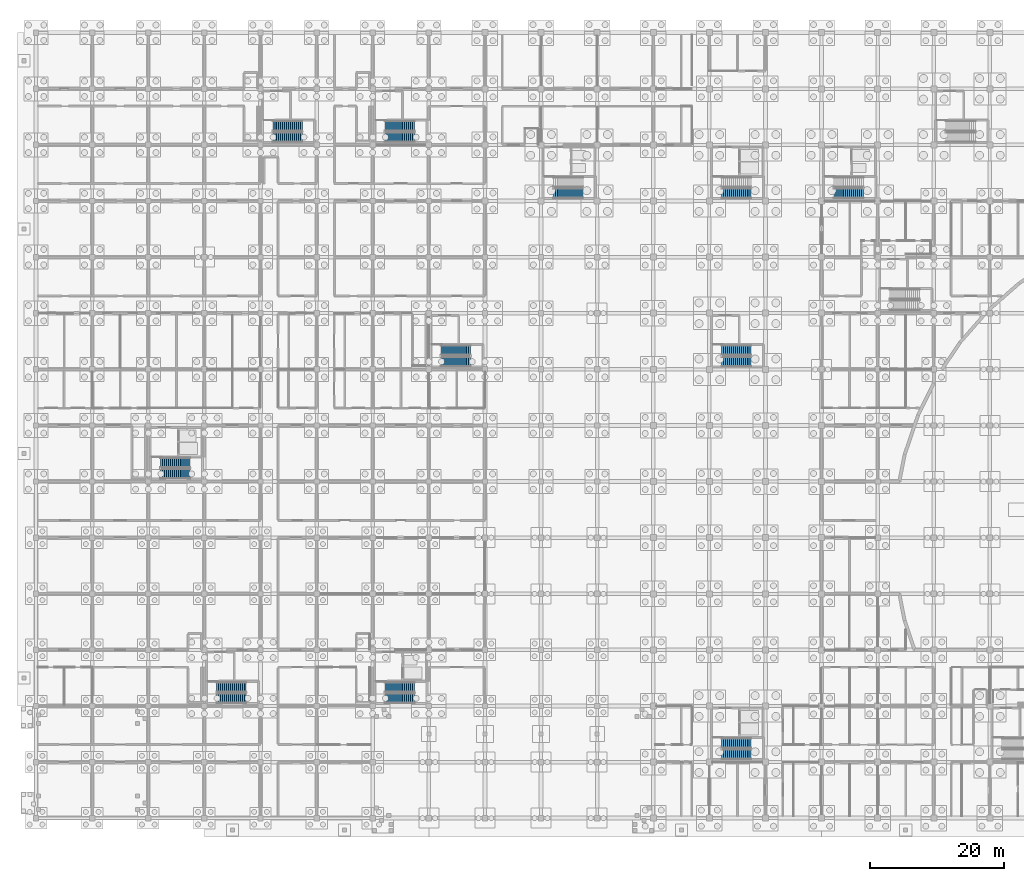
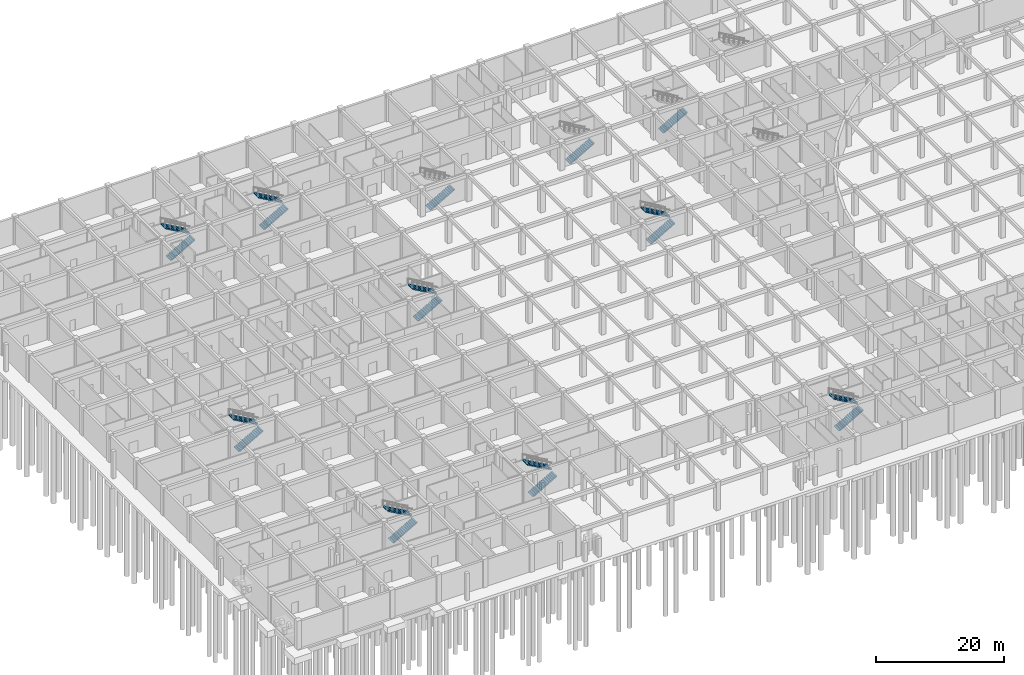
# One storey, part 51 of 65: 19 stair flights, 11 elements without a shape of their own.
"""IFC4 building model written with IfcOpenShell, lengths in metres."""

from ifc_helpers import new_model, si_unit, direction, frame, origin, place, context, subcontext, project, spatial, polyline, outline, extrude, material, type_object, element, aggregate, save


model = new_model("IFC4")

# Units and contexts
model_context = context("Model", 3, precision=1e-05, world=origin(), true_north=direction((0.0, 1.0)))
body_context = subcontext(model_context, "Body", "Model", "MODEL_VIEW")
ifc_project = project(units=[si_unit("LENGTHUNIT", "METRE"), si_unit("AREAUNIT", "SQUARE_METRE"), si_unit("VOLUMEUNIT", "CUBIC_METRE"), si_unit("PLANEANGLEUNIT", "RADIAN"), si_unit("MASSUNIT", "GRAM", prefix="KILO")], contexts=[model_context])

# Site, building, storey
site_placement = place(None, origin())
site = spatial("IfcSite", under=ifc_project, at=site_placement, CompositionType="ELEMENT")
building_placement = place(site_placement, origin())
building = spatial("IfcBuilding", under=site, at=building_placement, Name="Bramfleet General Hospital", CompositionType="ELEMENT")
storey_placement = place(building_placement, frame((0.0, 0.0, -5.39990234375)))
storey = spatial("IfcBuildingStorey", under=building, at=storey_placement, Name="B1", CompositionType="ELEMENT", Elevation=-5.39990234375)

# Stair, stair flights
ifc_material = material(Name="Concrete C35/45", Category="concrete")
stair_type = type_object("IfcStairType", Name="STR-T1", PredefinedType="HALF_TURN_STAIR", material=ifc_material)
stair_1_placement = place(storey_placement, origin())
stair_1 = element("IfcStair", 1, at=stair_1_placement, inside=storey, type_object=stair_type, Name="B1 Core C1 (Main Hall & Forecourt) Protected Escape Stair", PredefinedType="HALF_TURN_STAIR")
stair_flight_type = type_object("IfcStairFlightType", Name="STF-T1", PredefinedType="STRAIGHT", material=ifc_material)
stair_flight_1_placement = place(storey_placement, frame((52.239990234375, 17.969970703125, 0.0), z_axis=(0.0, 0.0, 1.0), x_axis=(1.0, 0.0, 0.0)))
stair_flight_1 = element("IfcStairFlight", 2, at=stair_flight_1_placement, type_object=stair_flight_type, Name="ST-C1 flight 1", NumberOfRisers=16, NumberOfTreads=15, PredefinedType="STRAIGHT", RiserHeight=0.16875, TreadLength=0.295, context=body_context, shape_type="SweptSolid", body=[
    extrude(outline(polyline([(0.0, 0.0), (0.0, 0.168701171875), (0.294921875, 0.168701171875), (0.294921875, 0.33740234375), (0.590087890625, 0.33740234375), (0.590087890625, 0.50634765625), (0.885009765625, 0.50634765625), (0.885009765625, 0.675048828125), (1.179931640625, 0.675048828125), (1.179931640625, 0.84375), (1.47509765625, 0.84375), (1.47509765625, 1.012451171875), (1.77001953125, 1.012451171875), (1.77001953125, 1.18115234375), (2.06494140625, 1.18115234375), (2.06494140625, 1.35009765625), (2.360107421875, 1.35009765625), (2.360107421875, 1.518798828125), (2.655029296875, 1.518798828125), (2.655029296875, 1.6875), (2.949951171875, 1.6875), (2.949951171875, 1.856201171875), (3.2451171875, 1.856201171875), (3.2451171875, 2.02490234375), (3.5400390625, 2.02490234375), (3.5400390625, 2.19384765625), (3.8349609375, 2.19384765625), (3.8349609375, 2.362548828125), (4.1298828125, 2.362548828125), (4.1298828125, 2.53125), (4.425048828125, 2.53125), (4.425048828125, 2.699951171875), (4.425048828125, 2.346923828125), (0.322021484375, 0.0), (0.0, 0.0)])), frame((0.0, 0.75, 0.0), z_axis=(0.0, -1.0, 0.0), x_axis=(1.0, 0.0, 0.0)), (0.0, 0.0, 1.0), 1.5),
])
stair_flight_2_placement = place(storey_placement, frame((56.6650390625, 19.6298828125, 2.699951171875), z_axis=(0.0, 0.0, 1.0), x_axis=(-1.0, 0.0, 0.0)))
stair_flight_2 = element("IfcStairFlight", 3, at=stair_flight_2_placement, type_object=stair_flight_type, Name="ST-C1 flight 2", NumberOfRisers=16, NumberOfTreads=15, PredefinedType="STRAIGHT", RiserHeight=0.16875, TreadLength=0.295, context=body_context, shape_type="SweptSolid", body=[
    extrude(outline(polyline([(0.0, 0.0), (0.0, 0.168701171875), (0.294921875, 0.168701171875), (0.294921875, 0.33740234375), (0.590087890625, 0.33740234375), (0.590087890625, 0.50634765625), (0.885009765625, 0.50634765625), (0.885009765625, 0.675048828125), (1.179931640625, 0.675048828125), (1.179931640625, 0.84375), (1.47509765625, 0.84375), (1.47509765625, 1.012451171875), (1.77001953125, 1.012451171875), (1.77001953125, 1.18115234375), (2.06494140625, 1.18115234375), (2.06494140625, 1.35009765625), (2.360107421875, 1.35009765625), (2.360107421875, 1.518798828125), (2.655029296875, 1.518798828125), (2.655029296875, 1.6875), (2.949951171875, 1.6875), (2.949951171875, 1.856201171875), (3.2451171875, 1.856201171875), (3.2451171875, 2.02490234375), (3.5400390625, 2.02490234375), (3.5400390625, 2.19384765625), (3.8349609375, 2.19384765625), (3.8349609375, 2.362548828125), (4.1298828125, 2.362548828125), (4.1298828125, 2.53125), (4.425048828125, 2.53125), (4.425048828125, 2.699951171875), (4.425048828125, 2.346923828125), (0.322021484375, 0.0), (0.0, 0.0)])), frame((0.0, 0.75, 0.0), z_axis=(0.0, -1.0, 0.0), x_axis=(1.0, 0.0, 0.0)), (0.0, 0.0, 1.0), 1.5),
])
aggregate(stair_1, [stair_flight_1, stair_flight_2])

stair_2_placement = place(storey_placement, origin())
stair_2 = element("IfcStair", 4, at=stair_2_placement, inside=storey, type_object=stair_type, Name="B1 Core C2 (Emergency & Surgical) Protected Escape Stair", PredefinedType="HALF_TURN_STAIR")
stair_flight_3_placement = place(storey_placement, frame((18.639892578125, 51.570068359375, 0.0), z_axis=(0.0, 0.0, 1.0), x_axis=(1.0, 0.0, 0.0)))
stair_flight_3 = element("IfcStairFlight", 5, at=stair_flight_3_placement, type_object=stair_flight_type, Name="ST-C2 flight 1", NumberOfRisers=16, NumberOfTreads=15, PredefinedType="STRAIGHT", RiserHeight=0.16875, TreadLength=0.295, context=body_context, shape_type="SweptSolid", body=[
    extrude(outline(polyline([(0.0, 0.0), (0.0, 0.168701171875), (0.294921875, 0.168701171875), (0.294921875, 0.33740234375), (0.590087890625, 0.33740234375), (0.590087890625, 0.50634765625), (0.885009765625, 0.50634765625), (0.885009765625, 0.675048828125), (1.179931640625, 0.675048828125), (1.179931640625, 0.84375), (1.47509765625, 0.84375), (1.47509765625, 1.012451171875), (1.77001953125, 1.012451171875), (1.77001953125, 1.18115234375), (2.06494140625, 1.18115234375), (2.06494140625, 1.35009765625), (2.360107421875, 1.35009765625), (2.360107421875, 1.518798828125), (2.655029296875, 1.518798828125), (2.655029296875, 1.6875), (2.949951171875, 1.6875), (2.949951171875, 1.856201171875), (3.2451171875, 1.856201171875), (3.2451171875, 2.02490234375), (3.5400390625, 2.02490234375), (3.5400390625, 2.19384765625), (3.8349609375, 2.19384765625), (3.8349609375, 2.362548828125), (4.1298828125, 2.362548828125), (4.1298828125, 2.53125), (4.425048828125, 2.53125), (4.425048828125, 2.699951171875), (4.425048828125, 2.346923828125), (0.322021484375, 0.0), (0.0, 0.0)])), frame((0.0, 0.75, 0.0), z_axis=(0.0, -1.0, 0.0), x_axis=(1.0, 0.0, 0.0)), (0.0, 0.0, 1.0), 1.5),
])
stair_flight_4_placement = place(storey_placement, frame((23.06494140625, 53.22998046875, 2.699951171875), z_axis=(0.0, 0.0, 1.0), x_axis=(-1.0, 0.0, 0.0)))
stair_flight_4 = element("IfcStairFlight", 6, at=stair_flight_4_placement, type_object=stair_flight_type, Name="ST-C2 flight 2", NumberOfRisers=16, NumberOfTreads=15, PredefinedType="STRAIGHT", RiserHeight=0.16875, TreadLength=0.295, context=body_context, shape_type="SweptSolid", body=[
    extrude(outline(polyline([(0.0, 0.0), (0.0, 0.168701171875), (0.294921875, 0.168701171875), (0.294921875, 0.33740234375), (0.590087890625, 0.33740234375), (0.590087890625, 0.50634765625), (0.885009765625, 0.50634765625), (0.885009765625, 0.675048828125), (1.179931640625, 0.675048828125), (1.179931640625, 0.84375), (1.47509765625, 0.84375), (1.47509765625, 1.012451171875), (1.77001953125, 1.012451171875), (1.77001953125, 1.18115234375), (2.06494140625, 1.18115234375), (2.06494140625, 1.35009765625), (2.360107421875, 1.35009765625), (2.360107421875, 1.518798828125), (2.655029296875, 1.518798828125), (2.655029296875, 1.6875), (2.949951171875, 1.6875), (2.949951171875, 1.856201171875), (3.2451171875, 1.856201171875), (3.2451171875, 2.02490234375), (3.5400390625, 2.02490234375), (3.5400390625, 2.19384765625), (3.8349609375, 2.19384765625), (3.8349609375, 2.362548828125), (4.1298828125, 2.362548828125), (4.1298828125, 2.53125), (4.425048828125, 2.53125), (4.425048828125, 2.699951171875), (4.425048828125, 2.346923828125), (0.322021484375, 0.0), (0.0, 0.0)])), frame((0.0, 0.75, 0.0), z_axis=(0.0, -1.0, 0.0), x_axis=(1.0, 0.0, 0.0)), (0.0, 0.0, 1.0), 1.5),
])
aggregate(stair_2, [stair_flight_3, stair_flight_4])

stair_3_placement = place(storey_placement, origin())
stair_3 = element("IfcStair", 7, at=stair_3_placement, inside=storey, type_object=stair_type, Name="B1 Core C3 (South Ward Wing) Protected Escape Stair", PredefinedType="HALF_TURN_STAIR")
stair_flight_5_placement = place(storey_placement, frame((102.639892578125, 9.570068359375, 0.0), z_axis=(0.0, 0.0, 1.0), x_axis=(1.0, 0.0, 0.0)))
stair_flight_5 = element("IfcStairFlight", 8, at=stair_flight_5_placement, type_object=stair_flight_type, Name="ST-C3 flight 1", NumberOfRisers=16, NumberOfTreads=15, PredefinedType="STRAIGHT", RiserHeight=0.16875, TreadLength=0.295, context=body_context, shape_type="SweptSolid", body=[
    extrude(outline(polyline([(0.0, 0.0), (0.0, 0.168701171875), (0.294921875, 0.168701171875), (0.294921875, 0.33740234375), (0.590087890625, 0.33740234375), (0.590087890625, 0.50634765625), (0.885009765625, 0.50634765625), (0.885009765625, 0.675048828125), (1.179931640625, 0.675048828125), (1.179931640625, 0.84375), (1.47509765625, 0.84375), (1.47509765625, 1.012451171875), (1.77001953125, 1.012451171875), (1.77001953125, 1.18115234375), (2.06494140625, 1.18115234375), (2.06494140625, 1.35009765625), (2.360107421875, 1.35009765625), (2.360107421875, 1.518798828125), (2.655029296875, 1.518798828125), (2.655029296875, 1.6875), (2.949951171875, 1.6875), (2.949951171875, 1.856201171875), (3.2451171875, 1.856201171875), (3.2451171875, 2.02490234375), (3.5400390625, 2.02490234375), (3.5400390625, 2.19384765625), (3.8349609375, 2.19384765625), (3.8349609375, 2.362548828125), (4.1298828125, 2.362548828125), (4.1298828125, 2.53125), (4.425048828125, 2.53125), (4.425048828125, 2.699951171875), (4.425048828125, 2.346923828125), (0.322021484375, 0.0), (0.0, 0.0)])), frame((0.0, 0.75, 0.0), z_axis=(0.0, -1.0, 0.0), x_axis=(1.0, 0.0, 0.0)), (0.0, 0.0, 1.0), 1.5),
])
stair_flight_6_placement = place(storey_placement, frame((107.06494140625, 11.22998046875, 2.699951171875), z_axis=(0.0, 0.0, 1.0), x_axis=(-1.0, 0.0, 0.0)))
stair_flight_6 = element("IfcStairFlight", 9, at=stair_flight_6_placement, type_object=stair_flight_type, Name="ST-C3 flight 2", NumberOfRisers=16, NumberOfTreads=15, PredefinedType="STRAIGHT", RiserHeight=0.16875, TreadLength=0.295, context=body_context, shape_type="SweptSolid", body=[
    extrude(outline(polyline([(0.0, 0.0), (0.0, 0.168701171875), (0.294921875, 0.168701171875), (0.294921875, 0.33740234375), (0.590087890625, 0.33740234375), (0.590087890625, 0.50634765625), (0.885009765625, 0.50634765625), (0.885009765625, 0.675048828125), (1.179931640625, 0.675048828125), (1.179931640625, 0.84375), (1.47509765625, 0.84375), (1.47509765625, 1.012451171875), (1.77001953125, 1.012451171875), (1.77001953125, 1.18115234375), (2.06494140625, 1.18115234375), (2.06494140625, 1.35009765625), (2.360107421875, 1.35009765625), (2.360107421875, 1.518798828125), (2.655029296875, 1.518798828125), (2.655029296875, 1.6875), (2.949951171875, 1.6875), (2.949951171875, 1.856201171875), (3.2451171875, 1.856201171875), (3.2451171875, 2.02490234375), (3.5400390625, 2.02490234375), (3.5400390625, 2.19384765625), (3.8349609375, 2.19384765625), (3.8349609375, 2.362548828125), (4.1298828125, 2.362548828125), (4.1298828125, 2.53125), (4.425048828125, 2.53125), (4.425048828125, 2.699951171875), (4.425048828125, 2.346923828125), (0.322021484375, 0.0), (0.0, 0.0)])), frame((0.0, 0.75, 0.0), z_axis=(0.0, -1.0, 0.0), x_axis=(1.0, 0.0, 0.0)), (0.0, 0.0, 1.0), 1.5),
])
aggregate(stair_3, [stair_flight_5, stair_flight_6])

# Stair, stair flight
stair_4_placement = place(storey_placement, origin())
stair_4 = element("IfcStair", 10, at=stair_4_placement, inside=storey, type_object=stair_type, Name="B1 Core C4 (Central Spine & Helipad Trauma) Protected Escape Stair", PredefinedType="HALF_TURN_STAIR")
stair_flight_7_placement = place(storey_placement, frame((102.639892578125, 93.570068359375, 0.0), z_axis=(0.0, 0.0, 1.0), x_axis=(1.0, 0.0, 0.0)))
stair_flight_7 = element("IfcStairFlight", 11, at=stair_flight_7_placement, type_object=stair_flight_type, Name="ST-C4 flight 1", NumberOfRisers=16, NumberOfTreads=15, PredefinedType="STRAIGHT", RiserHeight=0.16875, TreadLength=0.295, context=body_context, shape_type="SweptSolid", body=[
    extrude(outline(polyline([(0.0, 0.0), (0.0, 0.168701171875), (0.294921875, 0.168701171875), (0.294921875, 0.33740234375), (0.590087890625, 0.33740234375), (0.590087890625, 0.50634765625), (0.885009765625, 0.50634765625), (0.885009765625, 0.675048828125), (1.179931640625, 0.675048828125), (1.179931640625, 0.84375), (1.47509765625, 0.84375), (1.47509765625, 1.012451171875), (1.77001953125, 1.012451171875), (1.77001953125, 1.18115234375), (2.06494140625, 1.18115234375), (2.06494140625, 1.35009765625), (2.360107421875, 1.35009765625), (2.360107421875, 1.518798828125), (2.655029296875, 1.518798828125), (2.655029296875, 1.6875), (2.949951171875, 1.6875), (2.949951171875, 1.856201171875), (3.2451171875, 1.856201171875), (3.2451171875, 2.02490234375), (3.5400390625, 2.02490234375), (3.5400390625, 2.19384765625), (3.8349609375, 2.19384765625), (3.8349609375, 2.362548828125), (4.1298828125, 2.362548828125), (4.1298828125, 2.53125), (4.425048828125, 2.53125), (4.425048828125, 2.699951171875), (4.425048828125, 2.346923828125), (0.322021484375, 0.0), (0.0, 0.0)])), frame((0.0, 0.75, 0.0), z_axis=(0.0, -1.0, 0.0), x_axis=(1.0, 0.0, 0.0)), (0.0, 0.0, 1.0), 1.5),
])
aggregate(stair_4, [stair_flight_7])

stair_5_placement = place(storey_placement, origin())
stair_5 = element("IfcStair", 12, at=stair_5_placement, inside=storey, type_object=stair_type, Name="B1 Core C5 (North-West Ward Wing) Protected Escape Stair", PredefinedType="HALF_TURN_STAIR")
stair_flight_8_placement = place(storey_placement, frame((77.43994140625, 93.570068359375, 0.0), z_axis=(0.0, 0.0, 1.0), x_axis=(1.0, 0.0, 0.0)))
stair_flight_8 = element("IfcStairFlight", 13, at=stair_flight_8_placement, type_object=stair_flight_type, Name="ST-C5 flight 1", NumberOfRisers=16, NumberOfTreads=15, PredefinedType="STRAIGHT", RiserHeight=0.16875, TreadLength=0.295, context=body_context, shape_type="SweptSolid", body=[
    extrude(outline(polyline([(0.0, 0.0), (0.0, 0.168701171875), (0.294921875, 0.168701171875), (0.294921875, 0.33740234375), (0.590087890625, 0.33740234375), (0.590087890625, 0.50634765625), (0.885009765625, 0.50634765625), (0.885009765625, 0.675048828125), (1.179931640625, 0.675048828125), (1.179931640625, 0.84375), (1.47509765625, 0.84375), (1.47509765625, 1.012451171875), (1.77001953125, 1.012451171875), (1.77001953125, 1.18115234375), (2.06494140625, 1.18115234375), (2.06494140625, 1.35009765625), (2.360107421875, 1.35009765625), (2.360107421875, 1.518798828125), (2.655029296875, 1.518798828125), (2.655029296875, 1.6875), (2.949951171875, 1.6875), (2.949951171875, 1.856201171875), (3.2451171875, 1.856201171875), (3.2451171875, 2.02490234375), (3.5400390625, 2.02490234375), (3.5400390625, 2.19384765625), (3.8349609375, 2.19384765625), (3.8349609375, 2.362548828125), (4.1298828125, 2.362548828125), (4.1298828125, 2.53125), (4.425048828125, 2.53125), (4.425048828125, 2.699951171875), (4.425048828125, 2.346923828125), (0.322021484375, 0.0), (0.0, 0.0)])), frame((0.0, 0.75, 0.0), z_axis=(0.0, -1.0, 0.0), x_axis=(1.0, 0.0, 0.0)), (0.0, 0.0, 1.0), 1.5),
])
aggregate(stair_5, [stair_flight_8])

stair_6_placement = place(storey_placement, origin())
stair_6 = element("IfcStair", 14, at=stair_6_placement, inside=storey, type_object=stair_type, Name="B1 Core C6 (North-East Ward & Helipad) Protected Escape Stair", PredefinedType="HALF_TURN_STAIR")
stair_flight_9_placement = place(storey_placement, frame((119.43994140625, 93.570068359375, 0.0), z_axis=(0.0, 0.0, 1.0), x_axis=(1.0, 0.0, 0.0)))
stair_flight_9 = element("IfcStairFlight", 15, at=stair_flight_9_placement, type_object=stair_flight_type, Name="ST-C6 flight 1", NumberOfRisers=16, NumberOfTreads=15, PredefinedType="STRAIGHT", RiserHeight=0.16875, TreadLength=0.295, context=body_context, shape_type="SweptSolid", body=[
    extrude(outline(polyline([(0.0, 0.0), (0.0, 0.168701171875), (0.294921875, 0.168701171875), (0.294921875, 0.33740234375), (0.590087890625, 0.33740234375), (0.590087890625, 0.50634765625), (0.885009765625, 0.50634765625), (0.885009765625, 0.675048828125), (1.179931640625, 0.675048828125), (1.179931640625, 0.84375), (1.47509765625, 0.84375), (1.47509765625, 1.012451171875), (1.77001953125, 1.012451171875), (1.77001953125, 1.18115234375), (2.06494140625, 1.18115234375), (2.06494140625, 1.35009765625), (2.360107421875, 1.35009765625), (2.360107421875, 1.518798828125), (2.655029296875, 1.518798828125), (2.655029296875, 1.6875), (2.949951171875, 1.6875), (2.949951171875, 1.856201171875), (3.2451171875, 1.856201171875), (3.2451171875, 2.02490234375), (3.5400390625, 2.02490234375), (3.5400390625, 2.19384765625), (3.8349609375, 2.19384765625), (3.8349609375, 2.362548828125), (4.1298828125, 2.362548828125), (4.1298828125, 2.53125), (4.425048828125, 2.53125), (4.425048828125, 2.699951171875), (4.425048828125, 2.346923828125), (0.322021484375, 0.0), (0.0, 0.0)])), frame((0.0, 0.75, 0.0), z_axis=(0.0, -1.0, 0.0), x_axis=(1.0, 0.0, 0.0)), (0.0, 0.0, 1.0), 1.5),
])
aggregate(stair_6, [stair_flight_9])

# Stair, stair flights
stair_7_placement = place(storey_placement, origin())
stair_7 = element("IfcStair", 16, at=stair_7_placement, inside=storey, type_object=stair_type, Name="B1 Core C7 (South-West Emergency Escape) Protected Escape Stair", PredefinedType="HALF_TURN_STAIR")
stair_flight_10_placement = place(storey_placement, frame((27.0400390625, 17.969970703125, 0.0), z_axis=(0.0, 0.0, 1.0), x_axis=(1.0, 0.0, 0.0)))
stair_flight_10 = element("IfcStairFlight", 17, at=stair_flight_10_placement, type_object=stair_flight_type, Name="ST-C7 flight 1", NumberOfRisers=16, NumberOfTreads=15, PredefinedType="STRAIGHT", RiserHeight=0.16875, TreadLength=0.295, context=body_context, shape_type="SweptSolid", body=[
    extrude(outline(polyline([(0.0, 0.0), (0.0, 0.168701171875), (0.294921875, 0.168701171875), (0.294921875, 0.33740234375), (0.590087890625, 0.33740234375), (0.590087890625, 0.50634765625), (0.885009765625, 0.50634765625), (0.885009765625, 0.675048828125), (1.179931640625, 0.675048828125), (1.179931640625, 0.84375), (1.47509765625, 0.84375), (1.47509765625, 1.012451171875), (1.77001953125, 1.012451171875), (1.77001953125, 1.18115234375), (2.06494140625, 1.18115234375), (2.06494140625, 1.35009765625), (2.360107421875, 1.35009765625), (2.360107421875, 1.518798828125), (2.655029296875, 1.518798828125), (2.655029296875, 1.6875), (2.949951171875, 1.6875), (2.949951171875, 1.856201171875), (3.2451171875, 1.856201171875), (3.2451171875, 2.02490234375), (3.5400390625, 2.02490234375), (3.5400390625, 2.19384765625), (3.8349609375, 2.19384765625), (3.8349609375, 2.362548828125), (4.1298828125, 2.362548828125), (4.1298828125, 2.53125), (4.425048828125, 2.53125), (4.425048828125, 2.699951171875), (4.425048828125, 2.346923828125), (0.322021484375, 0.0), (0.0, 0.0)])), frame((0.0, 0.75, 0.0), z_axis=(0.0, -1.0, 0.0), x_axis=(1.0, 0.0, 0.0)), (0.0, 0.0, 1.0), 1.5),
])
stair_flight_11_placement = place(storey_placement, frame((31.465087890625, 19.6298828125, 2.699951171875), z_axis=(0.0, 0.0, 1.0), x_axis=(-1.0, 0.0, 0.0)))
stair_flight_11 = element("IfcStairFlight", 18, at=stair_flight_11_placement, type_object=stair_flight_type, Name="ST-C7 flight 2", NumberOfRisers=16, NumberOfTreads=15, PredefinedType="STRAIGHT", RiserHeight=0.16875, TreadLength=0.295, context=body_context, shape_type="SweptSolid", body=[
    extrude(outline(polyline([(0.0, 0.0), (0.0, 0.168701171875), (0.294921875, 0.168701171875), (0.294921875, 0.33740234375), (0.590087890625, 0.33740234375), (0.590087890625, 0.50634765625), (0.885009765625, 0.50634765625), (0.885009765625, 0.675048828125), (1.179931640625, 0.675048828125), (1.179931640625, 0.84375), (1.47509765625, 0.84375), (1.47509765625, 1.012451171875), (1.77001953125, 1.012451171875), (1.77001953125, 1.18115234375), (2.06494140625, 1.18115234375), (2.06494140625, 1.35009765625), (2.360107421875, 1.35009765625), (2.360107421875, 1.518798828125), (2.655029296875, 1.518798828125), (2.655029296875, 1.6875), (2.949951171875, 1.6875), (2.949951171875, 1.856201171875), (3.2451171875, 1.856201171875), (3.2451171875, 2.02490234375), (3.5400390625, 2.02490234375), (3.5400390625, 2.19384765625), (3.8349609375, 2.19384765625), (3.8349609375, 2.362548828125), (4.1298828125, 2.362548828125), (4.1298828125, 2.53125), (4.425048828125, 2.53125), (4.425048828125, 2.699951171875), (4.425048828125, 2.346923828125), (0.322021484375, 0.0), (0.0, 0.0)])), frame((0.0, 0.75, 0.0), z_axis=(0.0, -1.0, 0.0), x_axis=(1.0, 0.0, 0.0)), (0.0, 0.0, 1.0), 1.5),
])
aggregate(stair_7, [stair_flight_10, stair_flight_11])

stair_8_placement = place(storey_placement, origin())
stair_8 = element("IfcStair", 19, at=stair_8_placement, inside=storey, type_object=stair_type, Name="B1 Core C8 (North-West Surgical Escape) Protected Escape Stair", PredefinedType="HALF_TURN_STAIR")
stair_flight_12_placement = place(storey_placement, frame((35.43994140625, 101.969970703125, 0.0), z_axis=(0.0, 0.0, 1.0), x_axis=(1.0, 0.0, 0.0)))
stair_flight_12 = element("IfcStairFlight", 20, at=stair_flight_12_placement, type_object=stair_flight_type, Name="ST-C8 flight 1", NumberOfRisers=16, NumberOfTreads=15, PredefinedType="STRAIGHT", RiserHeight=0.16875, TreadLength=0.295, context=body_context, shape_type="SweptSolid", body=[
    extrude(outline(polyline([(0.0, 0.0), (0.0, 0.168701171875), (0.294921875, 0.168701171875), (0.294921875, 0.33740234375), (0.590087890625, 0.33740234375), (0.590087890625, 0.50634765625), (0.885009765625, 0.50634765625), (0.885009765625, 0.675048828125), (1.179931640625, 0.675048828125), (1.179931640625, 0.84375), (1.47509765625, 0.84375), (1.47509765625, 1.012451171875), (1.77001953125, 1.012451171875), (1.77001953125, 1.18115234375), (2.06494140625, 1.18115234375), (2.06494140625, 1.35009765625), (2.360107421875, 1.35009765625), (2.360107421875, 1.518798828125), (2.655029296875, 1.518798828125), (2.655029296875, 1.6875), (2.949951171875, 1.6875), (2.949951171875, 1.856201171875), (3.2451171875, 1.856201171875), (3.2451171875, 2.02490234375), (3.5400390625, 2.02490234375), (3.5400390625, 2.19384765625), (3.8349609375, 2.19384765625), (3.8349609375, 2.362548828125), (4.1298828125, 2.362548828125), (4.1298828125, 2.53125), (4.425048828125, 2.53125), (4.425048828125, 2.699951171875), (4.425048828125, 2.346923828125), (0.322021484375, 0.0), (0.0, 0.0)])), frame((0.0, 0.75, 0.0), z_axis=(0.0, -1.0, 0.0), x_axis=(1.0, 0.0, 0.0)), (0.0, 0.0, 1.0), 1.5),
])
stair_flight_13_placement = place(storey_placement, frame((39.864990234375, 103.6298828125, 2.699951171875), z_axis=(0.0, 0.0, 1.0), x_axis=(-1.0, 0.0, 0.0)))
stair_flight_13 = element("IfcStairFlight", 21, at=stair_flight_13_placement, type_object=stair_flight_type, Name="ST-C8 flight 2", NumberOfRisers=16, NumberOfTreads=15, PredefinedType="STRAIGHT", RiserHeight=0.16875, TreadLength=0.295, context=body_context, shape_type="SweptSolid", body=[
    extrude(outline(polyline([(0.0, 0.0), (0.0, 0.168701171875), (0.294921875, 0.168701171875), (0.294921875, 0.33740234375), (0.590087890625, 0.33740234375), (0.590087890625, 0.50634765625), (0.885009765625, 0.50634765625), (0.885009765625, 0.675048828125), (1.179931640625, 0.675048828125), (1.179931640625, 0.84375), (1.47509765625, 0.84375), (1.47509765625, 1.012451171875), (1.77001953125, 1.012451171875), (1.77001953125, 1.18115234375), (2.06494140625, 1.18115234375), (2.06494140625, 1.35009765625), (2.360107421875, 1.35009765625), (2.360107421875, 1.518798828125), (2.655029296875, 1.518798828125), (2.655029296875, 1.6875), (2.949951171875, 1.6875), (2.949951171875, 1.856201171875), (3.2451171875, 1.856201171875), (3.2451171875, 2.02490234375), (3.5400390625, 2.02490234375), (3.5400390625, 2.19384765625), (3.8349609375, 2.19384765625), (3.8349609375, 2.362548828125), (4.1298828125, 2.362548828125), (4.1298828125, 2.53125), (4.425048828125, 2.53125), (4.425048828125, 2.699951171875), (4.425048828125, 2.346923828125), (0.322021484375, 0.0), (0.0, 0.0)])), frame((0.0, 0.75, 0.0), z_axis=(0.0, -1.0, 0.0), x_axis=(1.0, 0.0, 0.0)), (0.0, 0.0, 1.0), 1.5),
])
aggregate(stair_8, [stair_flight_12, stair_flight_13])

stair_9_placement = place(storey_placement, origin())
stair_9 = element("IfcStair", 22, at=stair_9_placement, inside=storey, type_object=stair_type, Name="B1 Core C11 (Central Spine Escape) Protected Escape Stair", PredefinedType="HALF_TURN_STAIR")
stair_flight_14_placement = place(storey_placement, frame((102.639892578125, 68.3701171875, 0.0), z_axis=(0.0, 0.0, 1.0), x_axis=(1.0, 0.0, 0.0)))
stair_flight_14 = element("IfcStairFlight", 23, at=stair_flight_14_placement, type_object=stair_flight_type, Name="ST-C11 flight 1", NumberOfRisers=16, NumberOfTreads=15, PredefinedType="STRAIGHT", RiserHeight=0.16875, TreadLength=0.295, context=body_context, shape_type="SweptSolid", body=[
    extrude(outline(polyline([(0.0, 0.0), (0.0, 0.168701171875), (0.294921875, 0.168701171875), (0.294921875, 0.33740234375), (0.590087890625, 0.33740234375), (0.590087890625, 0.50634765625), (0.885009765625, 0.50634765625), (0.885009765625, 0.675048828125), (1.179931640625, 0.675048828125), (1.179931640625, 0.84375), (1.47509765625, 0.84375), (1.47509765625, 1.012451171875), (1.77001953125, 1.012451171875), (1.77001953125, 1.18115234375), (2.06494140625, 1.18115234375), (2.06494140625, 1.35009765625), (2.360107421875, 1.35009765625), (2.360107421875, 1.518798828125), (2.655029296875, 1.518798828125), (2.655029296875, 1.6875), (2.949951171875, 1.6875), (2.949951171875, 1.856201171875), (3.2451171875, 1.856201171875), (3.2451171875, 2.02490234375), (3.5400390625, 2.02490234375), (3.5400390625, 2.19384765625), (3.8349609375, 2.19384765625), (3.8349609375, 2.362548828125), (4.1298828125, 2.362548828125), (4.1298828125, 2.53125), (4.425048828125, 2.53125), (4.425048828125, 2.699951171875), (4.425048828125, 2.346923828125), (0.322021484375, 0.0), (0.0, 0.0)])), frame((0.0, 0.75, 0.0), z_axis=(0.0, -1.0, 0.0), x_axis=(1.0, 0.0, 0.0)), (0.0, 0.0, 1.0), 1.5),
])
stair_flight_15_placement = place(storey_placement, frame((107.06494140625, 70.030029296875, 2.699951171875), z_axis=(0.0, 0.0, 1.0), x_axis=(-1.0, 0.0, 0.0)))
stair_flight_15 = element("IfcStairFlight", 24, at=stair_flight_15_placement, type_object=stair_flight_type, Name="ST-C11 flight 2", NumberOfRisers=16, NumberOfTreads=15, PredefinedType="STRAIGHT", RiserHeight=0.16875, TreadLength=0.295, context=body_context, shape_type="SweptSolid", body=[
    extrude(outline(polyline([(0.0, 0.0), (0.0, 0.168701171875), (0.294921875, 0.168701171875), (0.294921875, 0.33740234375), (0.590087890625, 0.33740234375), (0.590087890625, 0.50634765625), (0.885009765625, 0.50634765625), (0.885009765625, 0.675048828125), (1.179931640625, 0.675048828125), (1.179931640625, 0.84375), (1.47509765625, 0.84375), (1.47509765625, 1.012451171875), (1.77001953125, 1.012451171875), (1.77001953125, 1.18115234375), (2.06494140625, 1.18115234375), (2.06494140625, 1.35009765625), (2.360107421875, 1.35009765625), (2.360107421875, 1.518798828125), (2.655029296875, 1.518798828125), (2.655029296875, 1.6875), (2.949951171875, 1.6875), (2.949951171875, 1.856201171875), (3.2451171875, 1.856201171875), (3.2451171875, 2.02490234375), (3.5400390625, 2.02490234375), (3.5400390625, 2.19384765625), (3.8349609375, 2.19384765625), (3.8349609375, 2.362548828125), (4.1298828125, 2.362548828125), (4.1298828125, 2.53125), (4.425048828125, 2.53125), (4.425048828125, 2.699951171875), (4.425048828125, 2.346923828125), (0.322021484375, 0.0), (0.0, 0.0)])), frame((0.0, 0.75, 0.0), z_axis=(0.0, -1.0, 0.0), x_axis=(1.0, 0.0, 0.0)), (0.0, 0.0, 1.0), 1.5),
])
aggregate(stair_9, [stair_flight_14, stair_flight_15])

stair_10_placement = place(storey_placement, origin())
stair_10 = element("IfcStair", 25, at=stair_10_placement, inside=storey, type_object=stair_type, Name="B1 Core C13 (Central Diagnostic Base Escape) Protected Escape Stair", PredefinedType="HALF_TURN_STAIR")
stair_flight_16_placement = place(storey_placement, frame((60.639892578125, 68.3701171875, 0.0), z_axis=(0.0, 0.0, 1.0), x_axis=(1.0, 0.0, 0.0)))
stair_flight_16 = element("IfcStairFlight", 26, at=stair_flight_16_placement, type_object=stair_flight_type, Name="ST-C13 flight 1", NumberOfRisers=16, NumberOfTreads=15, PredefinedType="STRAIGHT", RiserHeight=0.16875, TreadLength=0.295, context=body_context, shape_type="SweptSolid", body=[
    extrude(outline(polyline([(0.0, 0.0), (0.0, 0.168701171875), (0.294921875, 0.168701171875), (0.294921875, 0.33740234375), (0.590087890625, 0.33740234375), (0.590087890625, 0.50634765625), (0.885009765625, 0.50634765625), (0.885009765625, 0.675048828125), (1.179931640625, 0.675048828125), (1.179931640625, 0.84375), (1.47509765625, 0.84375), (1.47509765625, 1.012451171875), (1.77001953125, 1.012451171875), (1.77001953125, 1.18115234375), (2.06494140625, 1.18115234375), (2.06494140625, 1.35009765625), (2.360107421875, 1.35009765625), (2.360107421875, 1.518798828125), (2.655029296875, 1.518798828125), (2.655029296875, 1.6875), (2.949951171875, 1.6875), (2.949951171875, 1.856201171875), (3.2451171875, 1.856201171875), (3.2451171875, 2.02490234375), (3.5400390625, 2.02490234375), (3.5400390625, 2.19384765625), (3.8349609375, 2.19384765625), (3.8349609375, 2.362548828125), (4.1298828125, 2.362548828125), (4.1298828125, 2.53125), (4.425048828125, 2.53125), (4.425048828125, 2.699951171875), (4.425048828125, 2.346923828125), (0.322021484375, 0.0), (0.0, 0.0)])), frame((0.0, 0.75, 0.0), z_axis=(0.0, -1.0, 0.0), x_axis=(1.0, 0.0, 0.0)), (0.0, 0.0, 1.0), 1.5),
])
stair_flight_17_placement = place(storey_placement, frame((65.06494140625, 70.030029296875, 2.699951171875), z_axis=(0.0, 0.0, 1.0), x_axis=(-1.0, 0.0, 0.0)))
stair_flight_17 = element("IfcStairFlight", 27, at=stair_flight_17_placement, type_object=stair_flight_type, Name="ST-C13 flight 2", NumberOfRisers=16, NumberOfTreads=15, PredefinedType="STRAIGHT", RiserHeight=0.16875, TreadLength=0.295, context=body_context, shape_type="SweptSolid", body=[
    extrude(outline(polyline([(0.0, 0.0), (0.0, 0.168701171875), (0.294921875, 0.168701171875), (0.294921875, 0.33740234375), (0.590087890625, 0.33740234375), (0.590087890625, 0.50634765625), (0.885009765625, 0.50634765625), (0.885009765625, 0.675048828125), (1.179931640625, 0.675048828125), (1.179931640625, 0.84375), (1.47509765625, 0.84375), (1.47509765625, 1.012451171875), (1.77001953125, 1.012451171875), (1.77001953125, 1.18115234375), (2.06494140625, 1.18115234375), (2.06494140625, 1.35009765625), (2.360107421875, 1.35009765625), (2.360107421875, 1.518798828125), (2.655029296875, 1.518798828125), (2.655029296875, 1.6875), (2.949951171875, 1.6875), (2.949951171875, 1.856201171875), (3.2451171875, 1.856201171875), (3.2451171875, 2.02490234375), (3.5400390625, 2.02490234375), (3.5400390625, 2.19384765625), (3.8349609375, 2.19384765625), (3.8349609375, 2.362548828125), (4.1298828125, 2.362548828125), (4.1298828125, 2.53125), (4.425048828125, 2.53125), (4.425048828125, 2.699951171875), (4.425048828125, 2.346923828125), (0.322021484375, 0.0), (0.0, 0.0)])), frame((0.0, 0.75, 0.0), z_axis=(0.0, -1.0, 0.0), x_axis=(1.0, 0.0, 0.0)), (0.0, 0.0, 1.0), 1.5),
])
aggregate(stair_10, [stair_flight_16, stair_flight_17])

stair_11_placement = place(storey_placement, origin())
stair_11 = element("IfcStair", 28, at=stair_11_placement, inside=storey, type_object=stair_type, Name="B1 Core C14 (West Ward Wing Escape) Protected Escape Stair", PredefinedType="HALF_TURN_STAIR")
stair_flight_18_placement = place(storey_placement, frame((52.239990234375, 101.969970703125, 0.0), z_axis=(0.0, 0.0, 1.0), x_axis=(1.0, 0.0, 0.0)))
stair_flight_18 = element("IfcStairFlight", 29, at=stair_flight_18_placement, type_object=stair_flight_type, Name="ST-C14 flight 1", NumberOfRisers=16, NumberOfTreads=15, PredefinedType="STRAIGHT", RiserHeight=0.16875, TreadLength=0.295, context=body_context, shape_type="SweptSolid", body=[
    extrude(outline(polyline([(0.0, 0.0), (0.0, 0.168701171875), (0.294921875, 0.168701171875), (0.294921875, 0.33740234375), (0.590087890625, 0.33740234375), (0.590087890625, 0.50634765625), (0.885009765625, 0.50634765625), (0.885009765625, 0.675048828125), (1.179931640625, 0.675048828125), (1.179931640625, 0.84375), (1.47509765625, 0.84375), (1.47509765625, 1.012451171875), (1.77001953125, 1.012451171875), (1.77001953125, 1.18115234375), (2.06494140625, 1.18115234375), (2.06494140625, 1.35009765625), (2.360107421875, 1.35009765625), (2.360107421875, 1.518798828125), (2.655029296875, 1.518798828125), (2.655029296875, 1.6875), (2.949951171875, 1.6875), (2.949951171875, 1.856201171875), (3.2451171875, 1.856201171875), (3.2451171875, 2.02490234375), (3.5400390625, 2.02490234375), (3.5400390625, 2.19384765625), (3.8349609375, 2.19384765625), (3.8349609375, 2.362548828125), (4.1298828125, 2.362548828125), (4.1298828125, 2.53125), (4.425048828125, 2.53125), (4.425048828125, 2.699951171875), (4.425048828125, 2.346923828125), (0.322021484375, 0.0), (0.0, 0.0)])), frame((0.0, 0.75, 0.0), z_axis=(0.0, -1.0, 0.0), x_axis=(1.0, 0.0, 0.0)), (0.0, 0.0, 1.0), 1.5),
])
stair_flight_19_placement = place(storey_placement, frame((56.6650390625, 103.6298828125, 2.699951171875), z_axis=(0.0, 0.0, 1.0), x_axis=(-1.0, 0.0, 0.0)))
stair_flight_19 = element("IfcStairFlight", 30, at=stair_flight_19_placement, type_object=stair_flight_type, Name="ST-C14 flight 2", NumberOfRisers=16, NumberOfTreads=15, PredefinedType="STRAIGHT", RiserHeight=0.16875, TreadLength=0.295, context=body_context, shape_type="SweptSolid", body=[
    extrude(outline(polyline([(0.0, 0.0), (0.0, 0.168701171875), (0.294921875, 0.168701171875), (0.294921875, 0.33740234375), (0.590087890625, 0.33740234375), (0.590087890625, 0.50634765625), (0.885009765625, 0.50634765625), (0.885009765625, 0.675048828125), (1.179931640625, 0.675048828125), (1.179931640625, 0.84375), (1.47509765625, 0.84375), (1.47509765625, 1.012451171875), (1.77001953125, 1.012451171875), (1.77001953125, 1.18115234375), (2.06494140625, 1.18115234375), (2.06494140625, 1.35009765625), (2.360107421875, 1.35009765625), (2.360107421875, 1.518798828125), (2.655029296875, 1.518798828125), (2.655029296875, 1.6875), (2.949951171875, 1.6875), (2.949951171875, 1.856201171875), (3.2451171875, 1.856201171875), (3.2451171875, 2.02490234375), (3.5400390625, 2.02490234375), (3.5400390625, 2.19384765625), (3.8349609375, 2.19384765625), (3.8349609375, 2.362548828125), (4.1298828125, 2.362548828125), (4.1298828125, 2.53125), (4.425048828125, 2.53125), (4.425048828125, 2.699951171875), (4.425048828125, 2.346923828125), (0.322021484375, 0.0), (0.0, 0.0)])), frame((0.0, 0.75, 0.0), z_axis=(0.0, -1.0, 0.0), x_axis=(1.0, 0.0, 0.0)), (0.0, 0.0, 1.0), 1.5),
])
aggregate(stair_11, [stair_flight_18, stair_flight_19])

save(model, "model.ifc")
